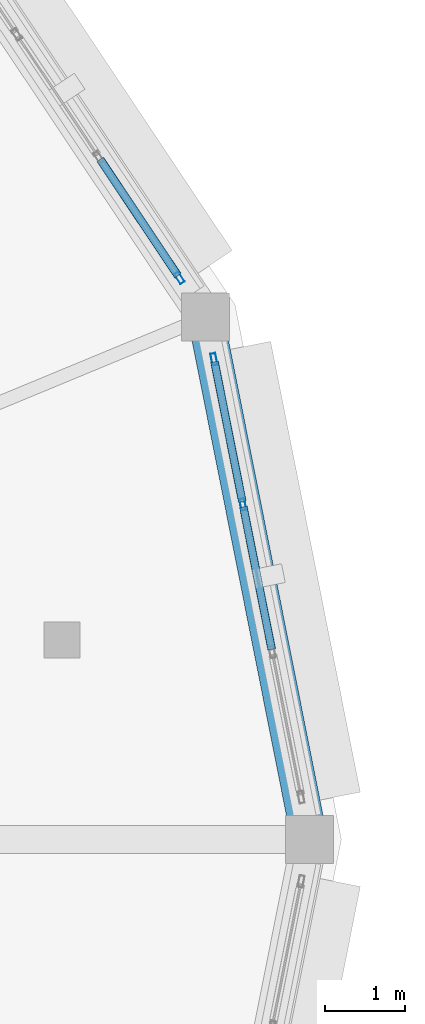
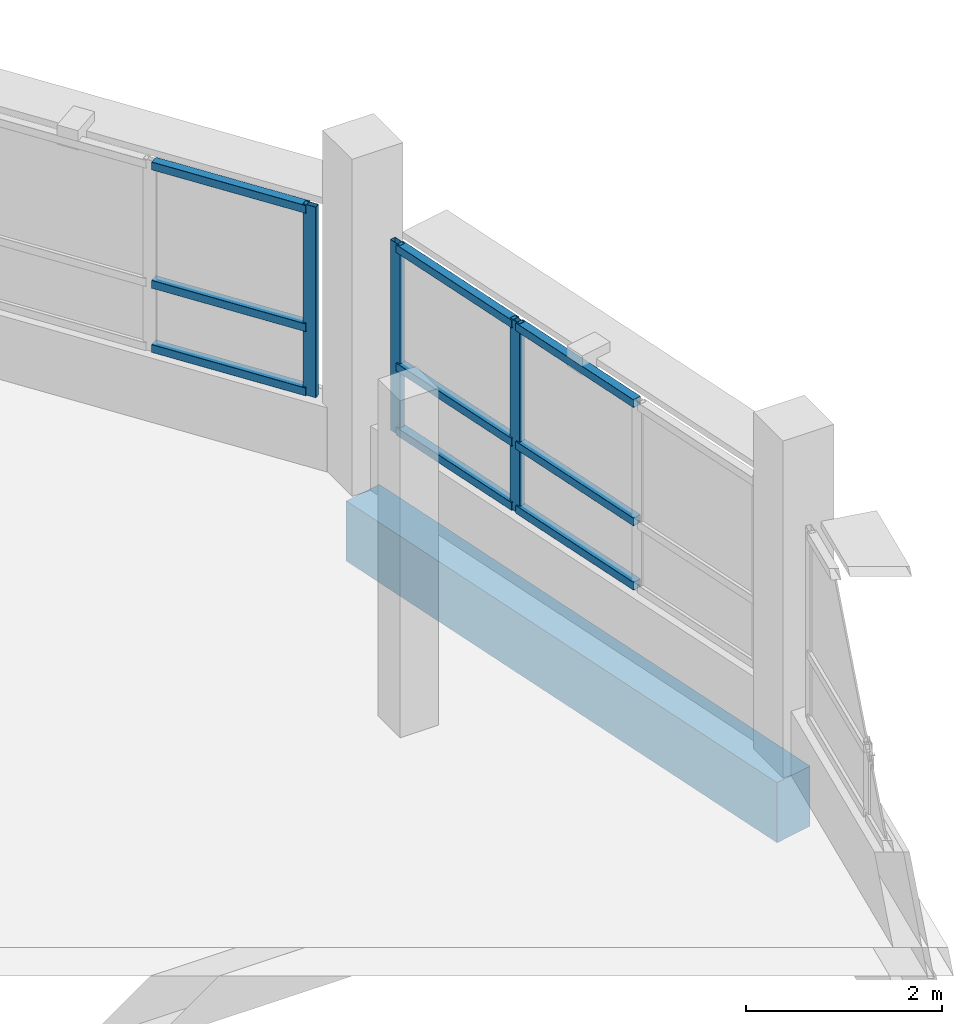
# One storey, part 86 of 128: 12 members, 1 beam, 2 elements without a shape of their own.
"""IFC4 building model written with IfcOpenShell, lengths in metres."""

from ifc_helpers import new_model, si_unit, direction, frame, origin, origin_2d, place, context, subcontext, project, spatial, rectangle, hollow_rectangle, extrude, material, layer, layer_set, material_profile, profile_set, type_object, element, aggregate, save


model = new_model("IFC4")

# Units and contexts
model_context = context("Model", 3, precision=1e-05, world=origin(), true_north=direction((0.0, 1.0)))
body_context = subcontext(model_context, "Body", "Model", "MODEL_VIEW")
ifc_project = project(units=[si_unit("LENGTHUNIT", "METRE"), si_unit("AREAUNIT", "SQUARE_METRE"), si_unit("VOLUMEUNIT", "CUBIC_METRE"), si_unit("PLANEANGLEUNIT", "RADIAN"), si_unit("MASSUNIT", "GRAM", prefix="KILO")], contexts=[model_context])

# Site, building, storey
site_placement = place(None, origin())
site = spatial("IfcSite", under=ifc_project, at=site_placement, CompositionType="ELEMENT")
building_placement = place(site_placement, origin())
building = spatial("IfcBuilding", under=site, at=building_placement, Name="Vespera Passage Community Centre", CompositionType="ELEMENT")
storey_placement = place(building_placement, frame((0.0, 0.0, 4.5)))
storey = spatial("IfcBuildingStorey", under=building, at=storey_placement, Name="L01", CompositionType="ELEMENT", Elevation=4.5)

# Beam
ifc_material_1 = material(Name="Concrete f'c 35 MPa", Category="concrete")
ifc_material_profile_1 = material_profile(ifc_material_1, rectangle(XDim=0.449951171875, YDim=0.75, at=origin_2d()), Name="RC450X750")
ifc_profile_set_1 = profile_set([ifc_material_profile_1], Name="Concrete f'c 35 MPa")
beam_type = type_object("IfcBeamType", Name="BM-SP-450X750E", PredefinedType="SPANDREL", material=ifc_profile_set_1)
beam_placement = place(storey_placement, frame((158.10009765625, 25.0, -0.614990234375), z_axis=(-0.195102743632, 0.980782809509, 0.0), x_axis=(-0.980782809509, -0.195102743632, 0.0)))
element("IfcBeam", 1, at=beam_placement, inside=storey, type_object=beam_type, Name="V3 L01 Spandrel 1", PredefinedType="SPANDREL", context=body_context, shape_type="SweptSolid", body=[
    extrude(rectangle(XDim=0.449951171875, YDim=0.75, at=origin_2d()), origin(), (0.0, 0.0, 1.0), 6.672119140625),
])

# Curtain wall, members
ifc_material_2 = material(Name="Anodized aluminium 6063-T6", Category="aluminium")
ifc_layer_1 = layer(ifc_material_2, 0.159912109375)
ifc_layer_set_1 = layer_set([ifc_layer_1], Name="Anodized aluminium 6063-T6")
curtain_wall_type_1 = type_object("IfcCurtainWallType", Name="CW-105E", PredefinedType="NOTDEFINED", material=ifc_layer_set_1)
curtain_wall_1_placement = place(storey_placement, origin())
curtain_wall_1 = element("IfcCurtainWall", 2, at=curtain_wall_1_placement, inside=storey, type_object=curtain_wall_type_1, Name="Dining Drum Ribbon Curtain Wall L01.1", PredefinedType="NOTDEFINED")
ifc_material_3 = material(Name="Anodized aluminium 6063-T6", Category="aluminium")
ifc_material_profile_2 = material_profile(ifc_material_3, hollow_rectangle(XDim=0.06494140625, YDim=0.14990234375, WallThickness=0.00390625, InnerFilletRadius=0.001953125, OuterFilletRadius=0.00390625, at=origin_2d()), Name="ALU150X65X4")
ifc_profile_set_2 = profile_set([ifc_material_profile_2], Name="Anodized aluminium 6063-T6")
member_type_1 = type_object("IfcMemberType", Name="MB-CWM-150E", PredefinedType="MULLION", material=ifc_profile_set_2)
member_1_placement = place(storey_placement, frame((156.9033203125, 31.015869140625, 0.800048828125), z_axis=(0.0, 0.0, 1.0), x_axis=(0.980783996069, 0.195096778691, 0.0)))
member_1 = element("IfcMember", 3, at=member_1_placement, type_object=member_type_1, Name="CW-105E mullion 1", PredefinedType="MULLION", context=body_context, shape_type="SweptSolid", body=[
    extrude(hollow_rectangle(XDim=0.06494140625, YDim=0.14990234375, WallThickness=0.00390625, InnerFilletRadius=0.001953125, OuterFilletRadius=0.00390625, at=origin_2d()), origin(), (0.0, 0.0, 1.0), 2.375),
])
member_2_placement = place(storey_placement, frame((157.26513671875, 29.197265625, 0.800048828125), z_axis=(0.0, 0.0, 1.0), x_axis=(0.980783996069, 0.195096778691, 0.0)))
member_2 = element("IfcMember", 4, at=member_2_placement, type_object=member_type_1, Name="CW-105E mullion 2", PredefinedType="MULLION", context=body_context, shape_type="SweptSolid", body=[
    extrude(hollow_rectangle(XDim=0.06494140625, YDim=0.14990234375, WallThickness=0.00390625, InnerFilletRadius=0.001953125, OuterFilletRadius=0.00390625, at=origin_2d()), origin(), (0.0, 0.0, 1.0), 2.375),
])

# Curtain wall, member
ifc_material_4 = material(Name="Anodized aluminium 6063-T6", Category="aluminium")
ifc_layer_2 = layer(ifc_material_4, 0.159912109375)
ifc_layer_set_2 = layer_set([ifc_layer_2], Name="Anodized aluminium 6063-T6")
curtain_wall_type_2 = type_object("IfcCurtainWallType", Name="CW-106E", PredefinedType="NOTDEFINED", material=ifc_layer_set_2)
curtain_wall_2_placement = place(storey_placement, origin())
curtain_wall_2 = element("IfcCurtainWall", 5, at=curtain_wall_2_placement, inside=storey, type_object=curtain_wall_type_2, Name="Dining Drum Ribbon Curtain Wall L01.2", PredefinedType="NOTDEFINED")
member_3_placement = place(storey_placement, frame((156.46875, 32.037109375, 0.800048828125), z_axis=(0.0, 0.0, 1.0), x_axis=(0.831473308708, 0.555564700918, 0.0)))
member_3 = element("IfcMember", 6, at=member_3_placement, type_object=member_type_1, Name="CW-106E mullion 4", PredefinedType="MULLION", context=body_context, shape_type="SweptSolid", body=[
    extrude(hollow_rectangle(XDim=0.06494140625, YDim=0.14990234375, WallThickness=0.00390625, InnerFilletRadius=0.001953125, OuterFilletRadius=0.00390625, at=origin_2d()), origin(), (0.0, 0.0, 1.0), 2.375),
])

# Member
ifc_material_5 = material(Name="Anodized aluminium 6063-T6", Category="aluminium")
ifc_material_profile_3 = material_profile(ifc_material_5, hollow_rectangle(XDim=0.10009765625, YDim=0.10009765625, WallThickness=0.00390625, InnerFilletRadius=0.001953125, OuterFilletRadius=0.00390625, at=origin_2d()), Name="ALU100X100X4")
ifc_profile_set_3 = profile_set([ifc_material_profile_3], Name="Anodized aluminium 6063-T6")
member_type_2 = type_object("IfcMemberType", Name="MB-CWT-100E", PredefinedType="USERDEFINED", material=ifc_profile_set_3)
member_4_placement = place(storey_placement, frame((156.90966796875, 30.98388671875, 0.85009765625), z_axis=(0.195118922523, -0.980779590975, 0.0), x_axis=(0.980779590975, 0.195118922523, 0.0)))
member_4 = element("IfcMember", 7, at=member_4_placement, type_object=member_type_2, Name="CW-105E transom 1.1", ObjectType="TRANSOM", PredefinedType="USERDEFINED", context=body_context, shape_type="SweptSolid", body=[
    extrude(hollow_rectangle(XDim=0.10009765625, YDim=0.10009765625, WallThickness=0.00390625, InnerFilletRadius=0.001953125, OuterFilletRadius=0.00390625, at=origin_2d()), origin(), (0.0, 0.0, 1.0), 1.789306640625),
])

member_5_placement = place(storey_placement, frame((156.90966796875, 30.98388671875, 1.64990234375), z_axis=(0.195118922523, -0.980779590975, 0.0), x_axis=(0.980779590975, 0.195118922523, 0.0)))
member_5 = element("IfcMember", 8, at=member_5_placement, type_object=member_type_2, Name="CW-105E transom 1.2", ObjectType="TRANSOM", PredefinedType="USERDEFINED", context=body_context, shape_type="SweptSolid", body=[
    extrude(hollow_rectangle(XDim=0.10009765625, YDim=0.10009765625, WallThickness=0.00390625, InnerFilletRadius=0.001953125, OuterFilletRadius=0.00390625, at=origin_2d()), origin(), (0.0, 0.0, 1.0), 1.789306640625),
])

member_6_placement = place(storey_placement, frame((156.90966796875, 30.98388671875, 3.125), z_axis=(0.195118922523, -0.980779590975, 0.0), x_axis=(0.980779590975, 0.195118922523, 0.0)))
member_6 = element("IfcMember", 9, at=member_6_placement, type_object=member_type_2, Name="CW-105E transom 1.3", ObjectType="TRANSOM", PredefinedType="USERDEFINED", context=body_context, shape_type="SweptSolid", body=[
    extrude(hollow_rectangle(XDim=0.10009765625, YDim=0.10009765625, WallThickness=0.00390625, InnerFilletRadius=0.001953125, OuterFilletRadius=0.00390625, at=origin_2d()), origin(), (0.0, 0.0, 1.0), 1.789306640625),
])

member_7_placement = place(storey_placement, frame((157.271484375, 29.165283203125, 0.85009765625), z_axis=(0.195136642714, -0.980776065507, 0.0), x_axis=(0.980776065507, 0.195136642714, 0.0)))
member_7 = element("IfcMember", 10, at=member_7_placement, type_object=member_type_2, Name="CW-105E transom 2.1", ObjectType="TRANSOM", PredefinedType="USERDEFINED", context=body_context, shape_type="SweptSolid", body=[
    extrude(hollow_rectangle(XDim=0.10009765625, YDim=0.10009765625, WallThickness=0.00390625, InnerFilletRadius=0.001953125, OuterFilletRadius=0.00390625, at=origin_2d()), origin(), (0.0, 0.0, 1.0), 1.821533203125),
])

member_8_placement = place(storey_placement, frame((157.271484375, 29.165283203125, 1.64990234375), z_axis=(0.195136642714, -0.980776065507, 0.0), x_axis=(0.980776065507, 0.195136642714, 0.0)))
member_8 = element("IfcMember", 11, at=member_8_placement, type_object=member_type_2, Name="CW-105E transom 2.2", ObjectType="TRANSOM", PredefinedType="USERDEFINED", context=body_context, shape_type="SweptSolid", body=[
    extrude(hollow_rectangle(XDim=0.10009765625, YDim=0.10009765625, WallThickness=0.00390625, InnerFilletRadius=0.001953125, OuterFilletRadius=0.00390625, at=origin_2d()), origin(), (0.0, 0.0, 1.0), 1.821533203125),
])

member_9_placement = place(storey_placement, frame((157.271484375, 29.165283203125, 3.125), z_axis=(0.195136642714, -0.980776065507, 0.0), x_axis=(0.980776065507, 0.195136642714, 0.0)))
member_9 = element("IfcMember", 12, at=member_9_placement, type_object=member_type_2, Name="CW-105E transom 2.3", ObjectType="TRANSOM", PredefinedType="USERDEFINED", context=body_context, shape_type="SweptSolid", body=[
    extrude(hollow_rectangle(XDim=0.10009765625, YDim=0.10009765625, WallThickness=0.00390625, InnerFilletRadius=0.001953125, OuterFilletRadius=0.00390625, at=origin_2d()), origin(), (0.0, 0.0, 1.0), 1.821533203125),
])

aggregate(curtain_wall_1, [member_1, member_2, member_4, member_5, member_6, member_7, member_8, member_9])

member_10_placement = place(storey_placement, frame((155.476806640625, 33.521484375, 0.85009765625), z_axis=(0.555632026719, -0.831428319751, 0.0), x_axis=(0.831428319751, 0.555632026719, 0.0)))
member_10 = element("IfcMember", 13, at=member_10_placement, type_object=member_type_2, Name="CW-106E transom 3.1", ObjectType="TRANSOM", PredefinedType="USERDEFINED", context=body_context, shape_type="SweptSolid", body=[
    extrude(hollow_rectangle(XDim=0.10009765625, YDim=0.10009765625, WallThickness=0.00390625, InnerFilletRadius=0.001953125, OuterFilletRadius=0.00390625, at=origin_2d()), origin(), (0.0, 0.0, 1.0), 1.752685546875),
])

member_11_placement = place(storey_placement, frame((155.476806640625, 33.521484375, 1.64990234375), z_axis=(0.555632026719, -0.831428319751, 0.0), x_axis=(0.831428319751, 0.555632026719, 0.0)))
member_11 = element("IfcMember", 14, at=member_11_placement, type_object=member_type_2, Name="CW-106E transom 3.2", ObjectType="TRANSOM", PredefinedType="USERDEFINED", context=body_context, shape_type="SweptSolid", body=[
    extrude(hollow_rectangle(XDim=0.10009765625, YDim=0.10009765625, WallThickness=0.00390625, InnerFilletRadius=0.001953125, OuterFilletRadius=0.00390625, at=origin_2d()), origin(), (0.0, 0.0, 1.0), 1.752685546875),
])

member_12_placement = place(storey_placement, frame((155.476806640625, 33.521484375, 3.125), z_axis=(0.555632026719, -0.831428319751, 0.0), x_axis=(0.831428319751, 0.555632026719, 0.0)))
member_12 = element("IfcMember", 15, at=member_12_placement, type_object=member_type_2, Name="CW-106E transom 3.3", ObjectType="TRANSOM", PredefinedType="USERDEFINED", context=body_context, shape_type="SweptSolid", body=[
    extrude(hollow_rectangle(XDim=0.10009765625, YDim=0.10009765625, WallThickness=0.00390625, InnerFilletRadius=0.001953125, OuterFilletRadius=0.00390625, at=origin_2d()), origin(), (0.0, 0.0, 1.0), 1.752685546875),
])

aggregate(curtain_wall_2, [member_3, member_10, member_11, member_12])

save(model, "model.ifc")
